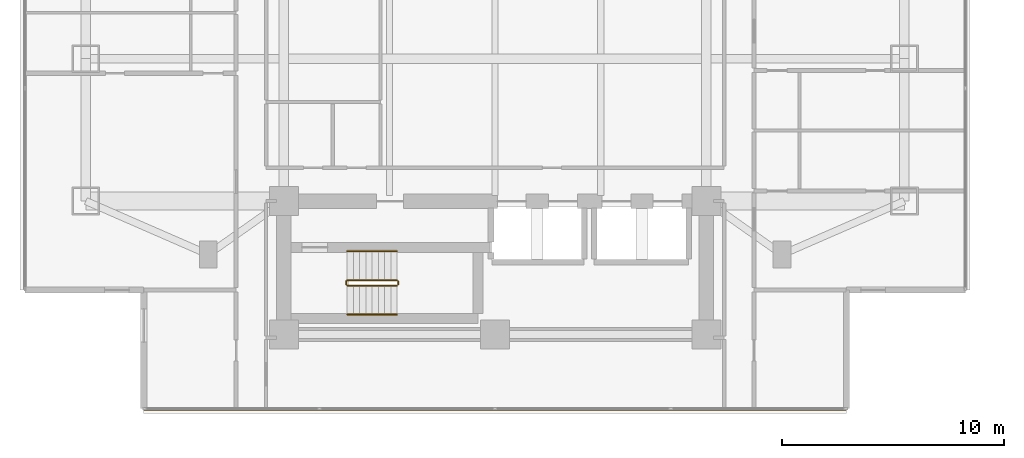
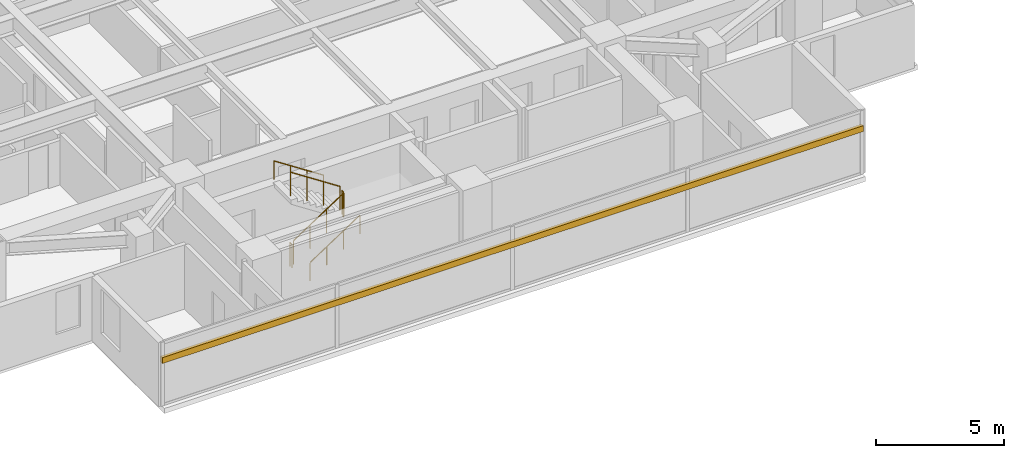
# One storey, part 20 of 25: 6 railings, 1 shading device.
"""IFC4 building model written with IfcOpenShell, lengths in metres."""

from ifc_helpers import new_model, si_unit, direction, frame, origin, origin_2d, place, context, subcontext, project, spatial, rectangle, circle, extrude, material, material_profile, profile_set, type_object, element, save


model = new_model("IFC4")

# Units and contexts
model_context = context("Model", 3, precision=1e-05, world=origin(), true_north=direction((0.0, 1.0)))
body_context = subcontext(model_context, "Body", "Model", "MODEL_VIEW")
ifc_project = project(units=[si_unit("LENGTHUNIT", "METRE"), si_unit("AREAUNIT", "SQUARE_METRE"), si_unit("VOLUMEUNIT", "CUBIC_METRE"), si_unit("PLANEANGLEUNIT", "RADIAN"), si_unit("MASSUNIT", "GRAM", prefix="KILO")], contexts=[model_context])

# Site, building, storey
site_placement = place(None, origin())
site = spatial("IfcSite", under=ifc_project, at=site_placement, CompositionType="ELEMENT")
building_placement = place(site_placement, origin())
building = spatial("IfcBuilding", under=site, at=building_placement, Name="Mirazonda Arch Towers", CompositionType="ELEMENT")
storey_placement = place(building_placement, frame((0.0, 0.0, 58.699951171875)))
storey = spatial("IfcBuildingStorey", under=building, at=storey_placement, Name="L16", CompositionType="ELEMENT", Elevation=58.699951171875)

# Shading device
ifc_material_1 = material(Name="Kiln-Fired Architectural Terracotta", Category="masonry")
ifc_material_profile = material_profile(ifc_material_1, rectangle(XDim=0.139892578125, YDim=0.280029296875, at=origin_2d()), Name="TERRA-BAG-140x280")
ifc_profile_set = profile_set([ifc_material_profile], Name="Kiln-Fired Architectural Terracotta")
shading_device_type = type_object("IfcShadingDeviceType", Name="BAGUETTE-3", PredefinedType="USERDEFINED", material=ifc_profile_set)
shading_device_placement = place(storey_placement, frame((36.300048828125, 9.06396484375, 2.18896484375), z_axis=(-1.0, 0.0, 0.0), x_axis=(0.0, -1.0, 0.0)))
element("IfcShadingDevice", 1, at=shading_device_placement, inside=storey, type_object=shading_device_type, Name="L16 Glazed Terracotta Sun-Screen Baguette CW-L16-T1-S", ObjectType="BAGUETTE", PredefinedType="USERDEFINED", context=body_context, shape_type="SweptSolid", body=[
    extrude(rectangle(XDim=0.139892578125, YDim=0.280029296875, at=origin_2d()), origin(), (0.0, 0.0, 1.0), 31.60009765625),
])

# Railings
ifc_material_2 = material(Name="Architectural Brushed Steel S355", Category="steel")
railing_type_1 = type_object("IfcRailingType", Name="GUARD-STAIR-1120", PredefinedType="GUARDRAIL", material=ifc_material_2)
railing_1_placement = place(storey_placement, frame((13.85009765625, 14.60009765625, 0.183349609375)))
element("IfcRailing", 2, at=railing_1_placement, inside=storey, type_object=railing_type_1, Name="L16 ST-T1S stair guard 1", PredefinedType="GUARDRAIL", context=body_context, shape_type="SweptSolid", body=[
    extrude(circle(Radius=0.02392578125, at=origin_2d()), frame((0.0, 0.0, 1.1259765625), z_axis=(0.836595146698, 0.0, 0.547821650285), x_axis=(0.0, 1.0, 0.0)), (0.0, 0.0, 1.0), 2.677490234375),
    extrude(circle(Radius=0.02099609375, at=origin_2d()), origin(), (0.0, 0.0, 1.0), 1.101806640625),
    extrude(circle(Radius=0.02099609375, at=origin_2d()), frame((0.74658203125, 0.0, 0.489013671875)), (0.0, 0.0, 1.0), 1.101806640625),
    extrude(circle(Radius=0.02099609375, at=origin_2d()), frame((1.493408203125, 0.0, 0.977783203125)), (0.0, 0.0, 1.0), 1.101806640625),
    extrude(circle(Radius=0.02099609375, at=origin_2d()), frame((2.239990234375, 0.0, 1.466796875)), (0.0, 0.0, 1.0), 1.101806640625),
])
railing_2_placement = place(storey_placement, frame((16.139892578125, 14.64990234375, 1.650146484375)))
element("IfcRailing", 3, at=railing_2_placement, inside=storey, type_object=railing_type_1, Name="L16 ST-T1S stair guard 2", PredefinedType="GUARDRAIL", context=body_context, shape_type="SweptSolid", body=[
    extrude(circle(Radius=0.02392578125, at=origin_2d()), frame((0.0, 0.0, 1.1259765625), z_axis=(0.0, 1.0, 0.0), x_axis=(-1.0, 0.0, 0.0)), (0.0, 0.0, 1.0), 0.14013671875),
    extrude(circle(Radius=0.02099609375, at=origin_2d()), origin(), (0.0, 0.0, 1.0), 1.101806640625),
    extrude(circle(Radius=0.02099609375, at=origin_2d()), frame((0.0, 0.14013671875, 0.0)), (0.0, 0.0, 1.0), 1.101806640625),
])
railing_3_placement = place(storey_placement, frame((16.090087890625, 14.840087890625, 1.83349609375)))
element("IfcRailing", 4, at=railing_3_placement, inside=storey, type_object=railing_type_1, Name="L16 ST-T1S stair guard 3", PredefinedType="GUARDRAIL", context=body_context, shape_type="SweptSolid", body=[
    extrude(circle(Radius=0.02392578125, at=origin_2d()), frame((0.0, 0.0, 1.1259765625), z_axis=(-0.836636935527, 0.0, 0.547757827979), x_axis=(0.0, -1.0, 0.0)), (0.0, 0.0, 1.0), 2.677490234375),
    extrude(circle(Radius=0.02099609375, at=origin_2d()), origin(), (0.0, 0.0, 1.0), 1.101806640625),
    extrude(circle(Radius=0.02099609375, at=origin_2d()), frame((-0.74658203125, 0.0, 0.48876953125)), (0.0, 0.0, 1.0), 1.101806640625),
    extrude(circle(Radius=0.02099609375, at=origin_2d()), frame((-1.493408203125, 0.0, 0.977783203125)), (0.0, 0.0, 1.0), 1.101806640625),
    extrude(circle(Radius=0.02099609375, at=origin_2d()), frame((-2.239990234375, 0.0, 1.466552734375)), (0.0, 0.0, 1.0), 1.101806640625),
])
railing_4_placement = place(storey_placement, frame((13.800048828125, 14.64990234375, 0.0)))
element("IfcRailing", 5, at=railing_4_placement, inside=storey, type_object=railing_type_1, Name="L16 ST-T1S stair guard 4", PredefinedType="GUARDRAIL", context=body_context, shape_type="SweptSolid", body=[
    extrude(circle(Radius=0.02392578125, at=origin_2d()), frame((0.0, 0.0, 1.1259765625), z_axis=(0.0, 1.0, 0.0), x_axis=(-1.0, 0.0, 0.0)), (0.0, 0.0, 1.0), 0.14013671875),
    extrude(circle(Radius=0.02099609375, at=origin_2d()), origin(), (0.0, 0.0, 1.0), 1.101806640625),
    extrude(circle(Radius=0.02099609375, at=origin_2d()), frame((0.0, 0.14013671875, 0.0)), (0.0, 0.0, 1.0), 1.101806640625),
])
railing_type_2 = type_object("IfcRailingType", Name="HANDRAIL-915", PredefinedType="HANDRAIL", material=ifc_material_2)
railing_5_placement = place(storey_placement, frame((13.85009765625, 13.300048828125, 0.183349609375)))
element("IfcRailing", 6, at=railing_5_placement, inside=storey, type_object=railing_type_2, Name="L16 ST-T1S stair handrail 1", PredefinedType="HANDRAIL", context=body_context, shape_type="SweptSolid", body=[
    extrude(circle(Radius=0.02392578125, at=origin_2d()), frame((0.0, 0.0, 0.8759765625), z_axis=(0.836595146698, 0.0, 0.547821650285), x_axis=(0.0, 1.0, 0.0)), (0.0, 0.0, 1.0), 2.677490234375),
    extrude(circle(Radius=0.02099609375, at=origin_2d()), origin(), (0.0, 0.0, 1.0), 0.851806640625),
    extrude(circle(Radius=0.02099609375, at=origin_2d()), frame((0.74658203125, 0.0, 0.489013671875)), (0.0, 0.0, 1.0), 0.851806640625),
    extrude(circle(Radius=0.02099609375, at=origin_2d()), frame((1.493408203125, 0.0, 0.977783203125)), (0.0, 0.0, 1.0), 0.851806640625),
    extrude(circle(Radius=0.02099609375, at=origin_2d()), frame((2.239990234375, 0.0, 1.466796875)), (0.0, 0.0, 1.0), 0.851806640625),
])
railing_6_placement = place(storey_placement, frame((16.090087890625, 16.139892578125, 1.83349609375)))
element("IfcRailing", 7, at=railing_6_placement, inside=storey, type_object=railing_type_2, Name="L16 ST-T1S stair handrail 2", PredefinedType="HANDRAIL", context=body_context, shape_type="SweptSolid", body=[
    extrude(circle(Radius=0.02392578125, at=origin_2d()), frame((0.0, 0.0, 0.8759765625), z_axis=(-0.836636935527, 0.0, 0.547757827979), x_axis=(0.0, -1.0, 0.0)), (0.0, 0.0, 1.0), 2.677490234375),
    extrude(circle(Radius=0.02099609375, at=origin_2d()), origin(), (0.0, 0.0, 1.0), 0.851806640625),
    extrude(circle(Radius=0.02099609375, at=origin_2d()), frame((-0.74658203125, 0.0, 0.48876953125)), (0.0, 0.0, 1.0), 0.851806640625),
    extrude(circle(Radius=0.02099609375, at=origin_2d()), frame((-1.493408203125, 0.0, 0.977783203125)), (0.0, 0.0, 1.0), 0.851806640625),
    extrude(circle(Radius=0.02099609375, at=origin_2d()), frame((-2.239990234375, 0.0, 1.466552734375)), (0.0, 0.0, 1.0), 0.851806640625),
])

save(model, "model.ifc")
